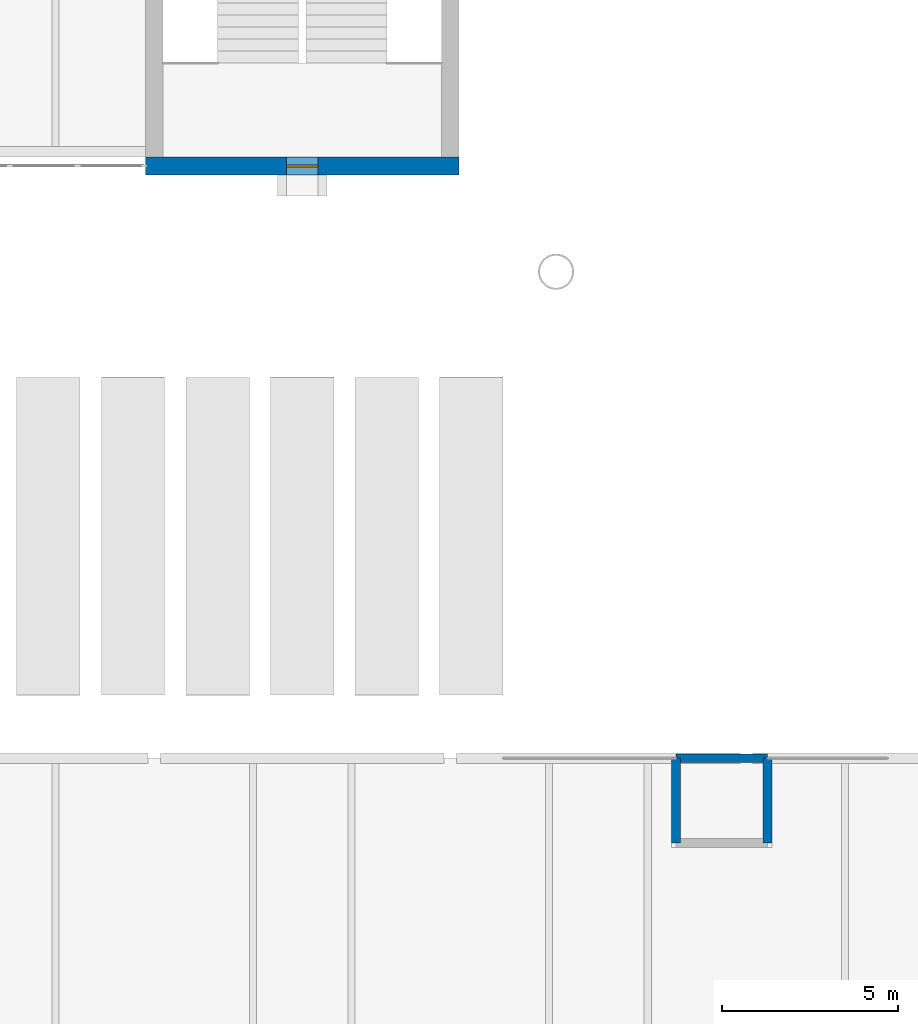
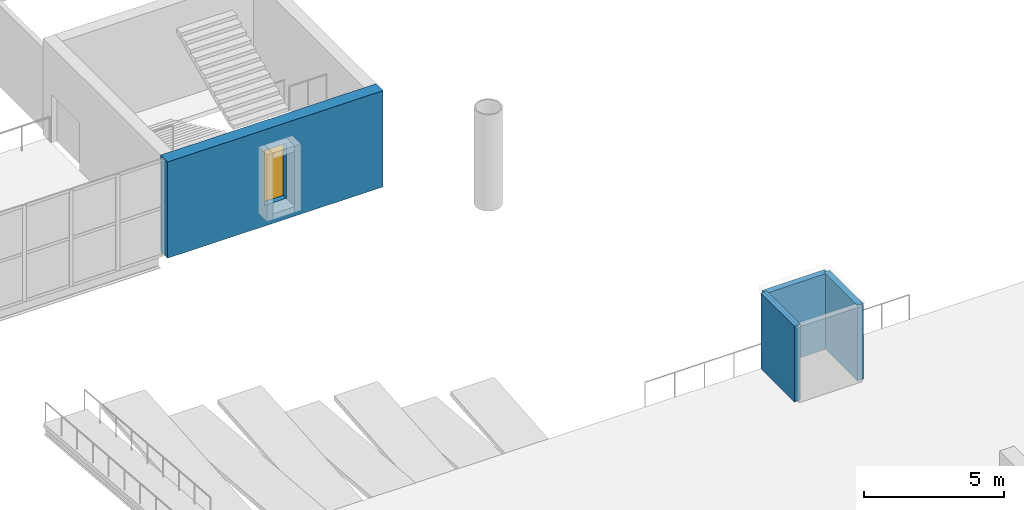
# One storey, part 63 of 96: 4 walls, 1 window, 1 opening.
"""IFC4 building model written with IfcOpenShell, lengths in metres."""

import ifcopenshell
import ifcopenshell.guid

model = None  # the IFC model being written
_history = None  # IfcOwnerHistory: only IFC2X3 demands one
_inside = {}  # id of a spatial element -> (the spatial element, [elements in it])
_under = {}  # id of a project, library or spatial element -> (it, [spatial elements below it])
_declared = {}  # id of a project -> (the project, [libraries it declares])
_typed = {}  # id of a type object -> (the type object, [elements of that type])
_made_of = {}  # id of a material, layer set ... -> (it, [elements and type objects made of it])


def new_model(schema):
    """Start an empty IFC model of exactly this schema.

    Asked for "IFC4X3", IfcOpenShell would pick the latest addendum, in which some entities
    have other attributes; the version numbers below select the first issue.
    IFC2X3 requires an IfcOwnerHistory on every rooted entity: one is made here for all.
    """
    global model, _history
    if schema == "IFC4X3":
        model = ifcopenshell.file(schema_version=(4, 3, 0, 0))
    else:
        model = ifcopenshell.file(schema=schema)
    _inside.clear()
    _under.clear()
    _declared.clear()
    _typed.clear()
    _made_of.clear()
    _history = None
    if model.schema == "IFC2X3":
        org = make("IfcOrganization", Name="unknown")
        user = make(
            "IfcPersonAndOrganization",
            ThePerson=make("IfcPerson", FamilyName="unknown"),
            TheOrganization=org,
        )
        app = make(
            "IfcApplication",
            ApplicationDeveloper=org,
            Version="unknown",
            ApplicationFullName="unknown",
            ApplicationIdentifier="unknown",
        )
        _history = make(
            "IfcOwnerHistory",
            OwningUser=user,
            OwningApplication=app,
            ChangeAction="ADDED",
            CreationDate=0,
        )
    return model


def make(cls, **values):
    """One entity of the class cls with the attributes given. An attribute that is None is left unset."""
    return model.create_entity(
        cls, **{name: value for name, value in values.items() if value is not None}
    )


def rooted(cls, **values):
    """An entity with a GlobalId (a new one), such as an element, a storey or a relation."""
    return make(cls, GlobalId=ifcopenshell.guid.new(), OwnerHistory=_history, **values)


def si_unit(unit_type, name, prefix=None):
    """IfcSIUnit, for example si_unit("LENGTHUNIT", "METRE", prefix="MILLI")."""
    return make("IfcSIUnit", UnitType=unit_type, Prefix=prefix, Name=name)


def assignment(units):
    """IfcUnitAssignment: the units of a project."""
    return None if units is None else make("IfcUnitAssignment", Units=units)


def point(xyz):
    """IfcCartesianPoint."""
    return None if xyz is None else make("IfcCartesianPoint", Coordinates=xyz)


def direction(xyz):
    """IfcDirection."""
    return None if xyz is None else make("IfcDirection", DirectionRatios=xyz)


def frame(location, z_axis=None, x_axis=None):
    """IfcAxis2Placement3D, a coordinate frame: its origin and axes. An axis left out is left unset."""
    return make(
        "IfcAxis2Placement3D",
        Location=point(location),
        Axis=direction(z_axis),
        RefDirection=direction(x_axis),
    )


def frame_2d(location, x_axis=None):
    """IfcAxis2Placement2D, a coordinate frame in the plane: its origin and x axis."""
    return make(
        "IfcAxis2Placement2D", Location=point(location), RefDirection=direction(x_axis)
    )


def origin():
    """The frame at (0, 0, 0) with its axes left unset."""
    return frame((0.0, 0.0, 0.0))


def place(relative_to, where):
    """IfcLocalPlacement: puts the frame where relative to a parent placement (None: the world)."""
    return make(
        "IfcLocalPlacement", PlacementRelTo=relative_to, RelativePlacement=where
    )


def context(
    kind, dimensions, precision=None, world=None, true_north=None, identifier=None
):
    """IfcGeometricRepresentationContext, for example the 3D "Model" context."""
    return make(
        "IfcGeometricRepresentationContext",
        ContextIdentifier=identifier,
        ContextType=kind,
        CoordinateSpaceDimension=dimensions,
        Precision=precision,
        WorldCoordinateSystem=world,
        TrueNorth=true_north,
    )


def subcontext(parent, identifier, kind, view, scale=None):
    """IfcGeometricRepresentationSubContext, for example "Body" below "Model"."""
    return make(
        "IfcGeometricRepresentationSubContext",
        ContextIdentifier=identifier,
        ContextType=kind,
        ParentContext=parent,
        TargetScale=scale,
        TargetView=view,
    )


def project(units=None, contexts=None):
    """IfcProject with its units and contexts."""
    return rooted(
        "IfcProject",
        Name="project",
        RepresentationContexts=contexts,
        UnitsInContext=assignment(units),
    )


def spatial(cls, under=None, at=None, **own):
    """A site, building, storey or space (cls), placed at a placement, below another one or the project."""
    s = rooted(cls, ObjectPlacement=at, **own)
    if under is not None:
        _under.setdefault(under.id(), (under, []))[1].append(s)
    return s


def profile(cls, at=None, kind="AREA", **sizes):
    """A parametric profile (cls). Its sizes go by their IFC names, for example OverallWidth=200.0."""
    return make(cls, ProfileType=kind, Position=at, **sizes)


def rectangle(**sizes):
    """IfcRectangleProfileDef."""
    return profile("IfcRectangleProfileDef", **sizes)


def extrude(swept, where, along, depth):
    """IfcExtrudedAreaSolid: the profile swept, set in the frame where, extruded along a direction by depth."""
    return make(
        "IfcExtrudedAreaSolid",
        SweptArea=swept,
        Position=where,
        ExtrudedDirection=direction(along),
        Depth=depth,
    )


def shape(context_of_items, identifier, shape_type, items):
    """IfcShapeRepresentation: the items that make up one representation, for example the "Body"."""
    return make(
        "IfcShapeRepresentation",
        ContextOfItems=context_of_items,
        RepresentationIdentifier=identifier,
        RepresentationType=shape_type,
        Items=items,
    )


def material(Name=None, Category=None):
    """IfcMaterial."""
    return make("IfcMaterial", Name=Name, Category=Category)


def layer(
    of_material, thickness, ventilated=None, Name=None, Category=None, Priority=None
):
    """IfcMaterialLayer: one layer of a wall or slab, of a material (None: an air gap)."""
    return make(
        "IfcMaterialLayer",
        Material=of_material,
        LayerThickness=thickness,
        IsVentilated=ventilated,
        Name=Name,
        Category=Category,
        Priority=Priority,
    )


def layer_set(layers, Name=None):
    """IfcMaterialLayerSet."""
    return make("IfcMaterialLayerSet", MaterialLayers=layers, LayerSetName=Name)


def made_of(thing, what):
    """Note that an element or type object is made of a material, layer set ...; save() writes the relation."""
    if what is not None:
        _made_of.setdefault(what.id(), (what, []))[1].append(thing)
    return thing


def type_object(cls, material=None, **own):
    """A type object (cls), such as IfcWallType, which elements share."""
    return made_of(rooted(cls, **own), material)


def element(
    cls,
    number,
    at=None,
    inside=None,
    cuts=None,
    type_object=None,
    material=None,
    context=None,
    identifier="Body",
    shape_type=None,
    held_by="IfcProductDefinitionShape",
    body=None,
    shapes=None,
    **own,
):
    """One element of the class cls, such as IfcWall. Its Tag is "e" and its number.

    at: its placement. inside: the storey or other place that contains it. cuts: it is an
    opening in that element (IfcRelVoidsElement). A single representation is given by context,
    identifier, shape_type and body (its items); several are given by shapes. held_by: the class
    of the entity that holds the representations. save() writes the other relations.
    """
    e = rooted(cls, Tag="e%d" % number, ObjectPlacement=at, **own)
    if body is not None:
        shapes = [shape(context, identifier, shape_type, body)]
    if shapes is not None:
        e.Representation = make(held_by, Representations=shapes)
    if inside is not None:
        _inside.setdefault(inside.id(), (inside, []))[1].append(e)
    if cuts is not None:
        rooted(
            "IfcRelVoidsElement", RelatingBuildingElement=cuts, RelatedOpeningElement=e
        )
    if type_object is not None:
        _typed.setdefault(type_object.id(), (type_object, []))[1].append(e)
    return made_of(e, material)


def fill(opening, filler):
    """IfcRelFillsElement: the door or window that sits in an opening."""
    return rooted(
        "IfcRelFillsElement",
        RelatingOpeningElement=opening,
        RelatedBuildingElement=filler,
    )


def aggregate(whole, parts):
    """IfcRelAggregates: a whole, such as a stair, and the parts it consists of."""
    return rooted("IfcRelAggregates", RelatingObject=whole, RelatedObjects=parts)


def save(model, path):
    """Write the relations noted so far, then the file.

    IfcRelAggregates (storeys below a building ...), IfcRelContainedInSpatialStructure (elements
    in a storey), IfcRelDefinesByType, IfcRelAssociatesMaterial and IfcRelDeclares: one each for
    every whole, place, type object, material and project.
    """
    for whole, parts in _under.values():
        aggregate(whole, parts)
    for where, things in _inside.values():
        rooted(
            "IfcRelContainedInSpatialStructure",
            RelatedElements=things,
            RelatingStructure=where,
        )
    for kind, things in _typed.values():
        rooted("IfcRelDefinesByType", RelatedObjects=things, RelatingType=kind)
    for what, things in _made_of.values():
        rooted("IfcRelAssociatesMaterial", RelatedObjects=things, RelatingMaterial=what)
    for by, libraries in _declared.values():
        rooted("IfcRelDeclares", RelatingContext=by, RelatedDefinitions=libraries)
    model.write(path)


model = new_model("IFC4")

# Units and contexts
model_context = context("Model", 3, precision=1e-05, world=origin(), true_north=direction((0.0, 1.0)))
body_context = subcontext(model_context, "Body", "Model", "MODEL_VIEW")
ifc_project = project(units=[si_unit("LENGTHUNIT", "METRE"), si_unit("AREAUNIT", "SQUARE_METRE"), si_unit("VOLUMEUNIT", "CUBIC_METRE"), si_unit("PLANEANGLEUNIT", "RADIAN"), si_unit("MASSUNIT", "GRAM", prefix="KILO")], contexts=[model_context])

# Site, building, storey
site_placement = place(None, origin())
site = spatial("IfcSite", under=ifc_project, at=site_placement, CompositionType="ELEMENT")
building_placement = place(site_placement, origin())
building = spatial("IfcBuilding", under=site, at=building_placement, Name="Cresset Court Congress Hotel", CompositionType="ELEMENT")
storey_placement = place(building_placement, frame((0.0, 0.0, 6.0)))
storey = spatial("IfcBuildingStorey", under=building, at=storey_placement, Name="L01", CompositionType="ELEMENT", Elevation=6.0)

# Wall, opening, window
ifc_material_1 = material(Name="Limestone-faced precast concrete C50", Category="masonry")
ifc_layer_1 = layer(ifc_material_1, 0.5)
ifc_layer_set_1 = layer_set([ifc_layer_1], Name="Hall perimeter wall 500")
wall_type_1 = type_object("IfcWallType", Name="Hall perimeter wall 500", PredefinedType="SOLIDWALL", material=ifc_layer_set_1)
wall_1_placement = place(storey_placement, frame((117.85009765625, 58.800048828125, 0.0), z_axis=(0.0, 0.0, 1.0), x_axis=(-1.0, 0.0, 0.0)))
wall_1 = element("IfcWall", 1, at=wall_1_placement, inside=storey, type_object=wall_type_1, Name="Wall CW-SL01-3", PredefinedType="SOLIDWALL", context=body_context, shape_type="SweptSolid", body=[
    extrude(rectangle(XDim=8.900146484375, YDim=0.5, at=frame_2d((4.4501953125, 0.0))), origin(), (0.0, 0.0, 1.0), 4.199951171875),
])
opening_placement = place(wall_1_placement, frame((4.0, 0.0, 0.89990234375)))
opening = element("IfcOpeningElement", 2, at=opening_placement, cuts=wall_1, Name="Opening NC-01-C2", PredefinedType="OPENING", context=body_context, shape_type="SweptSolid", body=[
    extrude(rectangle(XDim=0.89990234375, YDim=2.39990234375, at=frame_2d((0.449951171875, 1.199951171875))), frame((0.0, 0.260009765625, 0.0), z_axis=(0.0, -1.0, 0.0), x_axis=(1.0, 0.0, 0.0)), (0.0, 0.0, 1.0), 0.52001953125),
])
ifc_material_2 = material(Name="Aluminium and glass", Category="aluminium")
window_type = type_object("IfcWindowType", Name="Fixed window 900x2400", PartitioningType="SINGLE_PANEL", PredefinedType="WINDOW", material=ifc_material_2)
window_placement = place(opening_placement, origin())
window = element("IfcWindow", 3, at=window_placement, inside=storey, type_object=window_type, Name="Window NC-01-C2", OverallHeight=2.39990234375, OverallWidth=0.89990234375, PartitioningType="SINGLE_PANEL", PredefinedType="WINDOW", context=body_context, shape_type="SweptSolid", body=[
    extrude(rectangle(XDim=0.89990234375, YDim=2.39990234375, at=frame_2d((0.449951171875, 1.199951171875))), frame((0.0, 0.030029296875, 0.0), z_axis=(0.0, -1.0, 0.0), x_axis=(1.0, 0.0, 0.0)), (0.0, 0.0, 1.0), 0.06005859375),
])
fill(opening, window)

# Walls
ifc_material_3 = material(Name="Concrete C50", Category="concrete")
ifc_layer_2 = layer(ifc_material_3, 0.25)
ifc_layer_set_2 = layer_set([ifc_layer_2], Name="Lift shaft wall 250")
wall_type_2 = type_object("IfcWallType", Name="Lift shaft wall 250", PredefinedType="SOLIDWALL", material=ifc_layer_set_2)
wall_2_placement = place(storey_placement, frame((124.0, 42.0, 0.0), z_axis=(0.0, 0.0, 1.0), x_axis=(1.0, 0.0, 0.0)))
element("IfcWall", 4, at=wall_2_placement, inside=storey, type_object=wall_type_2, Name="S.lift.L01.LF-S1.N", PredefinedType="SOLIDWALL", context=body_context, shape_type="SweptSolid", body=[
    extrude(rectangle(XDim=2.60009765625, YDim=0.25, at=frame_2d((1.300048828125, 0.0))), origin(), (0.0, 0.0, 1.0), 3.300048828125),
])
for number, where, z_axis, x_axis, name in (
    (5, (124.0, 39.60009765625, 0.0), (0.0, 0.0, 1.0), (0.0, 1.0, 0.0), "S.lift.L01.LF-S1.W"),
    (6, (126.60009765625, 39.60009765625, 0.0), (0.0, 0.0, 1.0), (0.0, 1.0, 0.0), "S.lift.L01.LF-S1.E"),
):
    element("IfcWall", number, at=place(storey_placement, frame(where, z_axis=z_axis, x_axis=x_axis)), inside=storey, type_object=wall_type_2, Name=name, PredefinedType="SOLIDWALL", context=body_context, shape_type="SweptSolid", body=[
        extrude(rectangle(XDim=2.39990234375, YDim=0.25, at=frame_2d((1.199951171875, 0.0))), origin(), (0.0, 0.0, 1.0), 3.300048828125),
    ])

save(model, "model.ifc")
